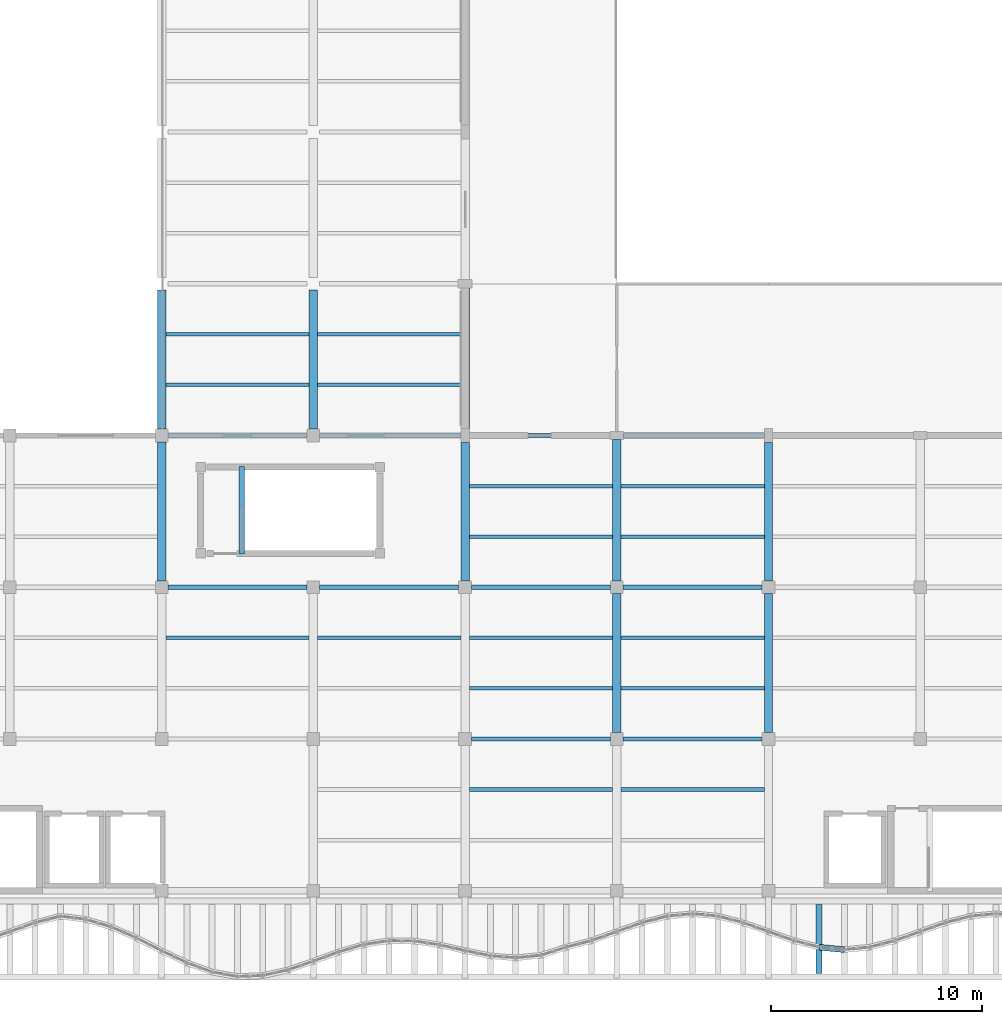
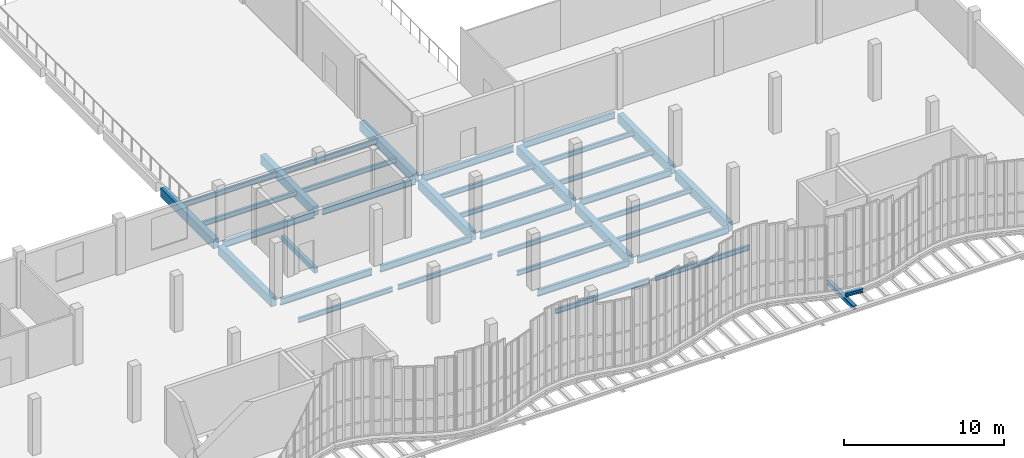
# One storey, part 23 of 76: 38 beams.
"""IFC4 building model written with IfcOpenShell, lengths in metres."""

from ifc_helpers import new_model, si_unit, direction, frame, origin, origin_2d, place, context, subcontext, project, spatial, rectangle, i_section, extrude, material, material_profile, profile_set, type_object, element, save


model = new_model("IFC4")

# Units and contexts
model_context = context("Model", 3, precision=1e-05, world=origin(), true_north=direction((0.0, 1.0)))
body_context = subcontext(model_context, "Body", "Model", "MODEL_VIEW")
ifc_project = project(units=[si_unit("LENGTHUNIT", "METRE"), si_unit("AREAUNIT", "SQUARE_METRE"), si_unit("VOLUMEUNIT", "CUBIC_METRE"), si_unit("PLANEANGLEUNIT", "RADIAN"), si_unit("MASSUNIT", "GRAM", prefix="KILO"), si_unit("THERMODYNAMICTEMPERATUREUNIT", "KELVIN"), si_unit("POWERUNIT", "WATT")], contexts=[model_context])

# Site, building, storey
site_placement = place(None, origin())
site = spatial("IfcSite", under=ifc_project, at=site_placement, CompositionType="ELEMENT")
building_placement = place(site_placement, origin())
building = spatial("IfcBuilding", under=site, at=building_placement, Name="Kaldorven Railside Theatre", CompositionType="ELEMENT")
storey_placement = place(building_placement, frame((0.0, 0.0, 14.39990234375)))
storey = spatial("IfcBuildingStorey", under=building, at=storey_placement, Name="L03", CompositionType="ELEMENT", Elevation=14.39990234375)

# Beams
ifc_material_1 = material(Name="Steel S355", Category="steel")
ifc_material_profile_1 = material_profile(ifc_material_1, i_section(OverallWidth=0.280029296875, OverallDepth=0.280029296875, WebThickness=0.010498046875, FlangeThickness=0.01806640625, at=origin_2d()), Name="HEB 280")
ifc_profile_set_1 = profile_set([ifc_material_profile_1], Name="Steel S355")
beam_type_1 = type_object("IfcBeamType", Name="BM-HEB280", PredefinedType="SPANDREL", material=ifc_profile_set_1)
beam_1_placement = place(storey_placement, frame((104.014892578125, 16.512451171875, -0.419921875), z_axis=(0.99552436473, -0.094505233873, 0.0), x_axis=(0.094505233873, 0.99552436473, 0.0)))
element("IfcBeam", 1, at=beam_1_placement, inside=storey, type_object=beam_type_1, Name="L03 Sinusoidal Flute Edge Spandrel FSB-201", PredefinedType="SPANDREL", context=body_context, shape_type="SweptSolid", body=[
    extrude(i_section(OverallWidth=0.280029296875, OverallDepth=0.280029296875, WebThickness=0.010498046875, FlangeThickness=0.01806640625, at=origin_2d()), origin(), (0.0, 0.0, 1.0), 1.175537109375),
])
beam_2_placement = place(storey_placement, frame((104.0, 15.260009765625, -0.699951171875), z_axis=(0.0, 1.0, 0.0), x_axis=(-1.0, 0.0, 0.0)))
element("IfcBeam", 2, at=beam_2_placement, inside=storey, type_object=beam_type_1, Name="L03 Sinusoidal Diaphragm Rib Outrigger FOB-M201", PredefinedType="SPANDREL", context=body_context, shape_type="SweptSolid", body=[
    extrude(i_section(OverallWidth=0.280029296875, OverallDepth=0.280029296875, WebThickness=0.010498046875, FlangeThickness=0.01806640625, at=origin_2d()), origin(), (0.0, 0.0, 1.0), 3.280029296875),
])
ifc_material_profile_2 = material_profile(ifc_material_1, i_section(OverallWidth=0.169921875, OverallDepth=0.360107421875, WebThickness=0.008056640625, FlangeThickness=0.0126953125, at=origin_2d()), Name="IPE 360")
ifc_profile_set_2 = profile_set([ifc_material_profile_2], Name="Steel S355")
beam_type_2 = type_object("IfcBeamType", Name="BM-IPE360", PredefinedType="JOIST", material=ifc_profile_set_2)
beam_3_placement = place(storey_placement, frame((87.39990234375, 24.0, -0.4599609375), z_axis=(1.0, 0.0, 0.0), x_axis=(0.0, 1.0, 0.0)))
element("IfcBeam", 3, at=beam_3_placement, inside=storey, type_object=beam_type_2, Name="L03 Secondary Floor Joist JG-L03-087-0240", PredefinedType="JOIST", context=body_context, shape_type="SweptSolid", body=[
    extrude(i_section(OverallWidth=0.169921875, OverallDepth=0.360107421875, WebThickness=0.008056640625, FlangeThickness=0.0126953125, at=origin_2d()), origin(), (0.0, 0.0, 1.0), 6.800048828125),
])
beam_4_placement = place(storey_placement, frame((94.60009765625, 24.0, -0.4599609375), z_axis=(1.0, 0.0, 0.0), x_axis=(0.0, 1.0, 0.0)))
element("IfcBeam", 4, at=beam_4_placement, inside=storey, type_object=beam_type_2, Name="L03 Secondary Floor Joist JG-L03-094-0240", PredefinedType="JOIST", context=body_context, shape_type="SweptSolid", body=[
    extrude(i_section(OverallWidth=0.169921875, OverallDepth=0.360107421875, WebThickness=0.008056640625, FlangeThickness=0.0126953125, at=origin_2d()), origin(), (0.0, 0.0, 1.0), 6.7998046875),
])
for number, where, z_axis, x_axis, name in (
    (5, (73.0, 31.199951171875, -0.4599609375), (1.0, 0.0, 0.0), (0.0, 1.0, 0.0), "L03 Secondary Floor Joist JG-L03-072-0312"),
    (6, (80.199951171875, 31.199951171875, -0.4599609375), (1.0, 0.0, 0.0), (0.0, 1.0, 0.0), "L03 Secondary Floor Joist JG-L03-080-0312"),
    (7, (87.39990234375, 28.800048828125, -0.4599609375), (1.0, 0.0, 0.0), (0.0, 1.0, 0.0), "L03 Secondary Floor Joist JG-L03-087-0288"),
    (8, (87.39990234375, 31.199951171875, -0.4599609375), (1.0, 0.0, 0.0), (0.0, 1.0, 0.0), "L03 Secondary Floor Joist JG-L03-087-0312"),
):
    element("IfcBeam", number, at=place(storey_placement, frame(where, z_axis=z_axis, x_axis=x_axis)), inside=storey, type_object=beam_type_2, Name=name, PredefinedType="JOIST", context=body_context, shape_type="SweptSolid", body=[
        extrude(i_section(OverallWidth=0.169921875, OverallDepth=0.360107421875, WebThickness=0.008056640625, FlangeThickness=0.0126953125, at=origin_2d()), origin(), (0.0, 0.0, 1.0), 6.800048828125),
    ])
for number, where, z_axis, x_axis, name in (
    (9, (94.60009765625, 28.800048828125, -0.4599609375), (1.0, 0.0, 0.0), (0.0, 1.0, 0.0), "L03 Secondary Floor Joist JG-L03-094-0288"),
    (10, (94.60009765625, 31.199951171875, -0.4599609375), (1.0, 0.0, 0.0), (0.0, 1.0, 0.0), "L03 Secondary Floor Joist JG-L03-094-0312"),
):
    element("IfcBeam", number, at=place(storey_placement, frame(where, z_axis=z_axis, x_axis=x_axis)), inside=storey, type_object=beam_type_2, Name=name, PredefinedType="JOIST", context=body_context, shape_type="SweptSolid", body=[
        extrude(i_section(OverallWidth=0.169921875, OverallDepth=0.360107421875, WebThickness=0.008056640625, FlangeThickness=0.0126953125, at=origin_2d()), origin(), (0.0, 0.0, 1.0), 6.7998046875),
    ])
for number, where, z_axis, x_axis, name in (
    (11, (87.39990234375, 36.0, -0.4599609375), (1.0, 0.0, 0.0), (0.0, 1.0, 0.0), "L03 Secondary Floor Joist JG-L03-087-0360"),
    (12, (87.39990234375, 38.39990234375, -0.4599609375), (1.0, 0.0, 0.0), (0.0, 1.0, 0.0), "L03 Secondary Floor Joist JG-L03-087-0384"),
):
    element("IfcBeam", number, at=place(storey_placement, frame(where, z_axis=z_axis, x_axis=x_axis)), inside=storey, type_object=beam_type_2, Name=name, PredefinedType="JOIST", context=body_context, shape_type="SweptSolid", body=[
        extrude(i_section(OverallWidth=0.169921875, OverallDepth=0.360107421875, WebThickness=0.008056640625, FlangeThickness=0.0126953125, at=origin_2d()), origin(), (0.0, 0.0, 1.0), 6.800048828125),
    ])
for number, where, z_axis, x_axis, name in (
    (13, (94.60009765625, 36.0, -0.4599609375), (1.0, 0.0, 0.0), (0.0, 1.0, 0.0), "L03 Secondary Floor Joist JG-L03-094-0360"),
    (14, (94.60009765625, 38.39990234375, -0.4599609375), (1.0, 0.0, 0.0), (0.0, 1.0, 0.0), "L03 Secondary Floor Joist JG-L03-094-0384"),
):
    element("IfcBeam", number, at=place(storey_placement, frame(where, z_axis=z_axis, x_axis=x_axis)), inside=storey, type_object=beam_type_2, Name=name, PredefinedType="JOIST", context=body_context, shape_type="SweptSolid", body=[
        extrude(i_section(OverallWidth=0.169921875, OverallDepth=0.360107421875, WebThickness=0.008056640625, FlangeThickness=0.0126953125, at=origin_2d()), origin(), (0.0, 0.0, 1.0), 6.7998046875),
    ])
for number, where, z_axis, x_axis, name in (
    (15, (73.0, 43.199951171875, -0.39990234375), (1.0, 0.0, 0.0), (0.0, 1.0, 0.0), "L03 Secondary Floor Joist JG-L03-072-0432"),
    (16, (73.0, 45.60009765625, -0.39990234375), (1.0, 0.0, 0.0), (0.0, 1.0, 0.0), "L03 Secondary Floor Joist JG-L03-072-0456"),
    (17, (80.199951171875, 43.199951171875, -0.39990234375), (1.0, 0.0, 0.0), (0.0, 1.0, 0.0), "L03 Secondary Floor Joist JG-L03-080-0432"),
    (18, (80.199951171875, 45.60009765625, -0.39990234375), (1.0, 0.0, 0.0), (0.0, 1.0, 0.0), "L03 Secondary Floor Joist JG-L03-080-0456"),
):
    element("IfcBeam", number, at=place(storey_placement, frame(where, z_axis=z_axis, x_axis=x_axis)), inside=storey, type_object=beam_type_2, Name=name, PredefinedType="JOIST", context=body_context, shape_type="SweptSolid", body=[
        extrude(i_section(OverallWidth=0.169921875, OverallDepth=0.360107421875, WebThickness=0.008056640625, FlangeThickness=0.0126953125, at=origin_2d()), origin(), (0.0, 0.0, 1.0), 6.800048828125),
    ])
ifc_material_profile_3 = material_profile(ifc_material_1, i_section(OverallWidth=0.199951171875, OverallDepth=0.5, WebThickness=0.01025390625, FlangeThickness=0.01611328125, at=origin_2d()), Name="IPE 500")
ifc_profile_set_3 = profile_set([ifc_material_profile_3], Name="Steel S355")
beam_type_3 = type_object("IfcBeamType", Name="BM-IPE500", PredefinedType="BEAM", material=ifc_profile_set_3)
for number, where, z_axis, x_axis, name in (
    (19, (87.5, 26.39990234375, -0.52978515625), (1.0, 0.0, 0.0), (0.0, 1.0, 0.0), "L03 Girder BGX-L03-087-026"),
    (20, (94.699951171875, 26.39990234375, -0.52978515625), (1.0, 0.0, 0.0), (0.0, 1.0, 0.0), "L03 Girder BGX-L03-094-026"),
):
    element("IfcBeam", number, at=place(storey_placement, frame(where, z_axis=z_axis, x_axis=x_axis)), inside=storey, type_object=beam_type_3, Name=name, PredefinedType="BEAM", context=body_context, shape_type="SweptSolid", body=[
        extrude(i_section(OverallWidth=0.199951171875, OverallDepth=0.5, WebThickness=0.01025390625, FlangeThickness=0.01611328125, at=origin_2d()), origin(), (0.0, 0.0, 1.0), 6.60009765625),
    ])
for number, where, z_axis, x_axis, name in (
    (21, (73.10009765625, 33.60009765625, -0.52978515625), (1.0, 0.0, 0.0), (0.0, 1.0, 0.0), "L03 Girder BGX-L03-072-033"),
    (22, (80.300048828125, 33.60009765625, -0.52978515625), (1.0, 0.0, 0.0), (0.0, 1.0, 0.0), "L03 Girder BGX-L03-080-033"),
):
    element("IfcBeam", number, at=place(storey_placement, frame(where, z_axis=z_axis, x_axis=x_axis)), inside=storey, type_object=beam_type_3, Name=name, PredefinedType="BEAM", context=body_context, shape_type="SweptSolid", body=[
        extrude(i_section(OverallWidth=0.199951171875, OverallDepth=0.5, WebThickness=0.01025390625, FlangeThickness=0.01611328125, at=origin_2d()), origin(), (0.0, 0.0, 1.0), 6.599853515625),
    ])
for number, where, z_axis, x_axis, name in (
    (23, (87.5, 33.60009765625, -0.52978515625), (1.0, 0.0, 0.0), (0.0, 1.0, 0.0), "L03 Girder BGX-L03-087-033"),
    (24, (94.699951171875, 33.60009765625, -0.52978515625), (1.0, 0.0, 0.0), (0.0, 1.0, 0.0), "L03 Girder BGX-L03-094-033"),
):
    element("IfcBeam", number, at=place(storey_placement, frame(where, z_axis=z_axis, x_axis=x_axis)), inside=storey, type_object=beam_type_3, Name=name, PredefinedType="BEAM", context=body_context, shape_type="SweptSolid", body=[
        extrude(i_section(OverallWidth=0.199951171875, OverallDepth=0.5, WebThickness=0.01025390625, FlangeThickness=0.01611328125, at=origin_2d()), origin(), (0.0, 0.0, 1.0), 6.60009765625),
    ])
beam_5_placement = place(storey_placement, frame((73.10009765625, 40.800048828125, -0.52978515625), z_axis=(1.0, 0.0, 0.0), x_axis=(0.0, 1.0, 0.0)))
element("IfcBeam", 25, at=beam_5_placement, inside=storey, type_object=beam_type_3, Name="L03 Girder BGX-L03-072-040", PredefinedType="BEAM", context=body_context, shape_type="SweptSolid", body=[
    extrude(i_section(OverallWidth=0.199951171875, OverallDepth=0.5, WebThickness=0.01025390625, FlangeThickness=0.01611328125, at=origin_2d()), origin(), (0.0, 0.0, 1.0), 6.599853515625),
])
beam_6_placement = place(storey_placement, frame((80.300048828125, 40.800048828125, -0.52978515625), z_axis=(1.0, 0.0, 0.0), x_axis=(0.0, 1.0, 0.0)))
element("IfcBeam", 26, at=beam_6_placement, inside=storey, type_object=beam_type_3, Name="L03 Girder BGX-L03-080-040", PredefinedType="BEAM", context=body_context, shape_type="SweptSolid", body=[
    extrude(i_section(OverallWidth=0.199951171875, OverallDepth=0.5, WebThickness=0.01025390625, FlangeThickness=0.01611328125, at=origin_2d()), origin(), (0.0, 0.0, 1.0), 6.699951171875),
])
beam_7_placement = place(storey_placement, frame((87.39990234375, 40.800048828125, -0.52978515625), z_axis=(1.0, 0.0, 0.0), x_axis=(0.0, 1.0, 0.0)))
element("IfcBeam", 27, at=beam_7_placement, inside=storey, type_object=beam_type_3, Name="L03 Girder BGX-L03-087-040", PredefinedType="BEAM", context=body_context, shape_type="SweptSolid", body=[
    extrude(i_section(OverallWidth=0.199951171875, OverallDepth=0.5, WebThickness=0.01025390625, FlangeThickness=0.01611328125, at=origin_2d()), origin(), (0.0, 0.0, 1.0), 6.675048828125),
])
beam_8_placement = place(storey_placement, frame((94.72509765625, 40.800048828125, -0.52978515625), z_axis=(1.0, 0.0, 0.0), x_axis=(0.0, 1.0, 0.0)))
element("IfcBeam", 28, at=beam_8_placement, inside=storey, type_object=beam_type_3, Name="L03 Girder BGX-L03-094-040", PredefinedType="BEAM", context=body_context, shape_type="SweptSolid", body=[
    extrude(i_section(OverallWidth=0.199951171875, OverallDepth=0.5, WebThickness=0.01025390625, FlangeThickness=0.01611328125, at=origin_2d()), origin(), (0.0, 0.0, 1.0), 6.6748046875),
])
ifc_material_2 = material(Name="Concrete C40/50", Category="concrete")
ifc_material_profile_4 = material_profile(ifc_material_2, rectangle(XDim=0.25, YDim=0.39990234375, at=origin_2d()), Name="RC 250x400")
ifc_profile_set_4 = profile_set([ifc_material_profile_4], Name="Concrete C40/50")
beam_type_4 = type_object("IfcBeamType", Name="BM-RC250x400", PredefinedType="LINTEL", material=ifc_profile_set_4)
beam_9_placement = place(storey_placement, frame((76.60009765625, 35.169921875, -0.344970703125), z_axis=(0.0, 1.0, 0.0), x_axis=(-1.0, 0.0, 0.0)))
element("IfcBeam", 29, at=beam_9_placement, inside=storey, type_object=beam_type_4, Name="Stair ST-07 L03 Landing Trimmer Beam", PredefinedType="LINTEL", context=body_context, shape_type="SweptSolid", body=[
    extrude(rectangle(XDim=0.25, YDim=0.39990234375, at=origin_2d()), origin(), (0.0, 0.0, 1.0), 4.16015625),
])
ifc_material_profile_5 = material_profile(ifc_material_2, rectangle(XDim=0.39990234375, YDim=0.699951171875, at=origin_2d()), Name="RC 400x700")
ifc_profile_set_5 = profile_set([ifc_material_profile_5], Name="Concrete C40/50")
beam_type_5 = type_object("IfcBeamType", Name="BM-RC400x700", PredefinedType="BEAM", material=ifc_profile_set_5)
for number, where, z_axis, x_axis, name in (
    (30, (94.39990234375, 26.699951171875, -0.6298828125), (0.0, 1.0, 0.0), (-1.0, 0.0, 0.0), "L03 Girder BGY-L03-094-026-72"),
    (31, (101.60009765625, 26.699951171875, -0.6298828125), (0.0, 1.0, 0.0), (-1.0, 0.0, 0.0), "L03 Girder BGY-L03-101-026-72"),
    (32, (72.800048828125, 33.89990234375, -0.6298828125), (0.0, 1.0, 0.0), (-1.0, 0.0, 0.0), "L03 Girder BGY-L03-072-033-72"),
):
    element("IfcBeam", number, at=place(storey_placement, frame(where, z_axis=z_axis, x_axis=x_axis)), inside=storey, type_object=beam_type_5, Name=name, PredefinedType="BEAM", context=body_context, shape_type="SweptSolid", body=[
        extrude(rectangle(XDim=0.39990234375, YDim=0.699951171875, at=origin_2d()), origin(), (0.0, 0.0, 1.0), 6.60009765625),
    ])
beam_10_placement = place(storey_placement, frame((87.199951171875, 33.89990234375, -0.6298828125), z_axis=(0.0, 1.0, 0.0), x_axis=(-1.0, 0.0, 0.0)))
element("IfcBeam", 33, at=beam_10_placement, inside=storey, type_object=beam_type_5, Name="L03 Girder BGY-L03-087-033-72", PredefinedType="BEAM", context=body_context, shape_type="SweptSolid", body=[
    extrude(rectangle(XDim=0.39990234375, YDim=0.699951171875, at=origin_2d()), origin(), (0.0, 0.0, 1.0), 6.5751953125),
])
beam_11_placement = place(storey_placement, frame((94.39990234375, 33.89990234375, -0.6298828125), z_axis=(0.0, 1.0, 0.0), x_axis=(-1.0, 0.0, 0.0)))
element("IfcBeam", 34, at=beam_11_placement, inside=storey, type_object=beam_type_5, Name="L03 Girder BGY-L03-094-033-72", PredefinedType="BEAM", context=body_context, shape_type="SweptSolid", body=[
    extrude(rectangle(XDim=0.39990234375, YDim=0.699951171875, at=origin_2d()), origin(), (0.0, 0.0, 1.0), 6.7001953125),
])
beam_12_placement = place(storey_placement, frame((101.60009765625, 33.89990234375, -0.6298828125), z_axis=(0.0, 1.0, 0.0), x_axis=(-1.0, 0.0, 0.0)))
element("IfcBeam", 35, at=beam_12_placement, inside=storey, type_object=beam_type_5, Name="L03 Girder BGY-L03-101-033-72", PredefinedType="BEAM", context=body_context, shape_type="SweptSolid", body=[
    extrude(rectangle(XDim=0.39990234375, YDim=0.699951171875, at=origin_2d()), origin(), (0.0, 0.0, 1.0), 6.5751953125),
])
for number, where, z_axis, x_axis, name in (
    (36, (72.800048828125, 41.10009765625, -0.56982421875), (0.0, 1.0, 0.0), (-1.0, 0.0, 0.0), "L03 Girder BGY-L03-072-040-72"),
    (37, (80.0, 41.10009765625, -0.56982421875), (0.0, 1.0, 0.0), (-1.0, 0.0, 0.0), "L03 Girder BGY-L03-080-040-72"),
):
    element("IfcBeam", number, at=place(storey_placement, frame(where, z_axis=z_axis, x_axis=x_axis)), inside=storey, type_object=beam_type_5, Name=name, PredefinedType="BEAM", context=body_context, shape_type="SweptSolid", body=[
        extrude(rectangle(XDim=0.39990234375, YDim=0.699951171875, at=origin_2d()), origin(), (0.0, 0.0, 1.0), 6.599853515625),
    ])
beam_13_placement = place(storey_placement, frame((87.199951171875, 41.125, -0.599853515625), z_axis=(0.0, 1.0, 0.0), x_axis=(-1.0, 0.0, 0.0)))
element("IfcBeam", 38, at=beam_13_placement, inside=storey, type_object=beam_type_5, Name="L03 Girder BGY-L03-087-040-72", PredefinedType="BEAM", context=body_context, shape_type="SweptSolid", body=[
    extrude(rectangle(XDim=0.39990234375, YDim=0.699951171875, at=origin_2d()), origin(), (0.0, 0.0, 1.0), 6.675048828125),
])

save(model, "model.ifc")
